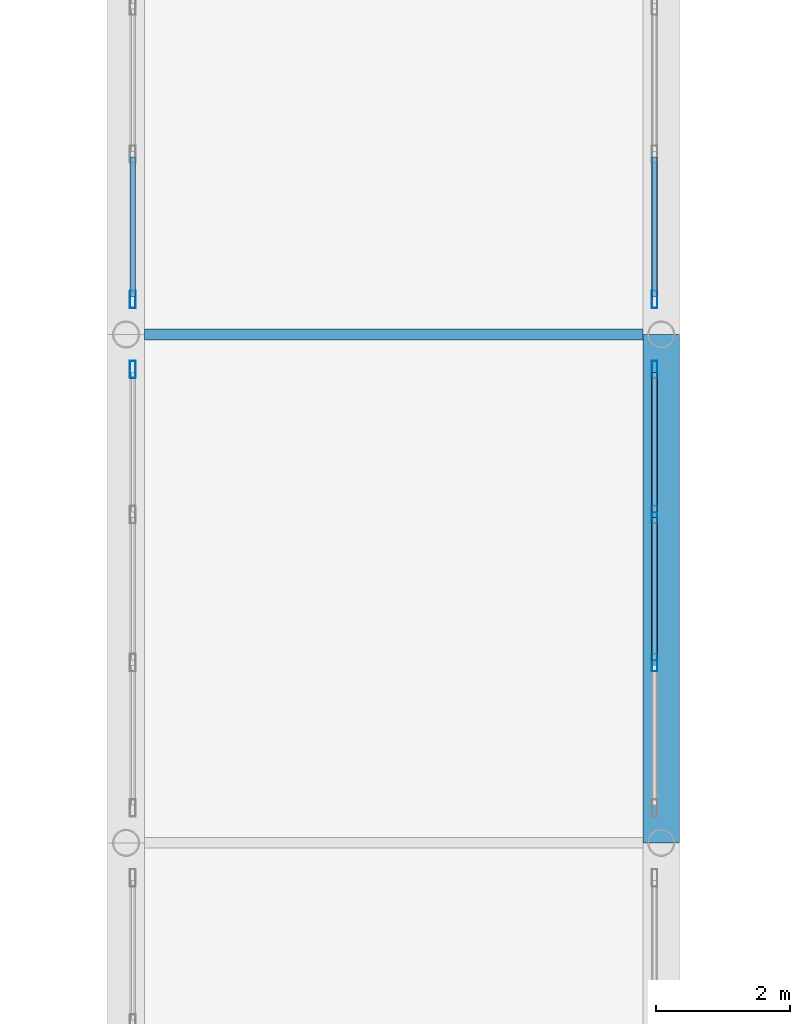
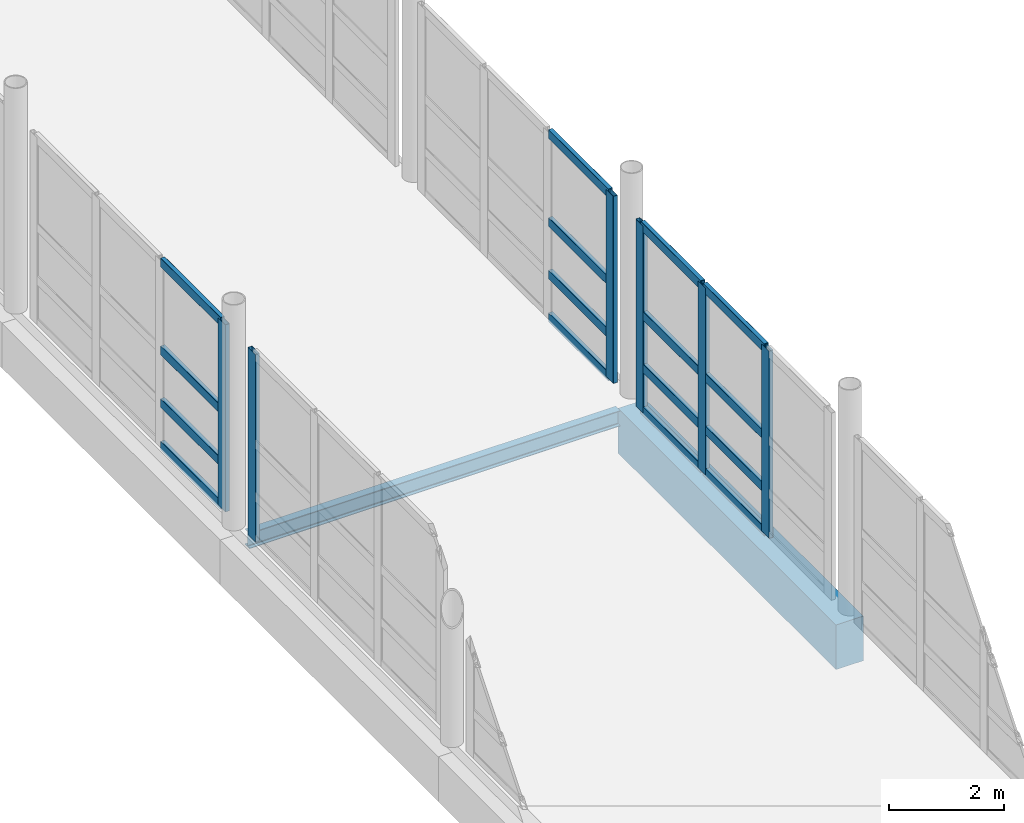
# One storey, part 55 of 147: 22 members, 2 beams, 4 elements without a shape of their own.
"""IFC4 building model written with IfcOpenShell, lengths in metres."""

from ifc_helpers import new_model, si_unit, direction, frame, origin, origin_2d, place, context, subcontext, project, spatial, rectangle, hollow_rectangle, i_section, extrude, material, material_profile, profile_set, type_object, element, aggregate, save


model = new_model("IFC4")

# Units and contexts
model_context = context("Model", 3, precision=1e-05, world=origin(), true_north=direction((0.0, 1.0)))
body_context = subcontext(model_context, "Body", "Model", "MODEL_VIEW")
ifc_project = project(units=[si_unit("LENGTHUNIT", "METRE"), si_unit("AREAUNIT", "SQUARE_METRE"), si_unit("VOLUMEUNIT", "CUBIC_METRE"), si_unit("PLANEANGLEUNIT", "RADIAN"), si_unit("MASSUNIT", "GRAM", prefix="KILO")], contexts=[model_context])

# Site, building, storey
site_placement = place(None, origin())
site = spatial("IfcSite", under=ifc_project, at=site_placement, CompositionType="ELEMENT")
building_placement = place(site_placement, origin())
building = spatial("IfcBuilding", under=site, at=building_placement, Name="Khelvaren Railside Concert Hall", CompositionType="ELEMENT")
storey_placement = place(building_placement, frame((0.0, 0.0, 5.39990234375)))
storey = spatial("IfcBuildingStorey", under=building, at=storey_placement, Name="L01", CompositionType="ELEMENT", Elevation=5.39990234375)

# Curtain wall, member
ifc_material_1 = material(Name="Acoustic laminated crystal facade glass", Category="glass")
curtain_wall_type = type_object("IfcCurtainWallType", Name="CW78", PredefinedType="USERDEFINED", material=ifc_material_1)
curtain_wall_1_placement = place(storey_placement, origin())
curtain_wall_1 = element("IfcCurtainWall", 1, at=curtain_wall_1_placement, inside=storey, type_object=curtain_wall_type, Name="Unitised Curtain Wall CW-LB4-L01-W3", ObjectType="UNITISED CURTAIN WALL", PredefinedType="USERDEFINED")
ifc_material_2 = material(Name="Anodised architectural aluminium 6063-T6", Category="aluminium")
ifc_material_profile_1 = material_profile(ifc_material_2, hollow_rectangle(XDim=0.0849609375, YDim=0.260009765625, WallThickness=0.0048828125, InnerFilletRadius=0.0029296875, OuterFilletRadius=0.0048828125, at=origin_2d()), Name="CWM 85x260x5")
ifc_profile_set_1 = profile_set([ifc_material_profile_1], Name="Anodised architectural aluminium 6063-T6")
member_type_1 = type_object("IfcMemberType", Name="CWM40", PredefinedType="MULLION", material=ifc_profile_set_1)
member_1_placement = place(storey_placement, frame((160.10009765625, 60.277587890625, 0.0), z_axis=(0.0, 0.0, 1.0), x_axis=(-1.0, 0.0, 0.0)))
member_1 = element("IfcMember", 2, at=member_1_placement, type_object=member_type_1, Name="CW78 mullion 4", PredefinedType="MULLION", context=body_context, shape_type="SweptSolid", body=[
    extrude(hollow_rectangle(XDim=0.0849609375, YDim=0.260009765625, WallThickness=0.0048828125, InnerFilletRadius=0.0029296875, OuterFilletRadius=0.0048828125, at=origin_2d()), origin(), (0.0, 0.0, 1.0), 3.97998046875),
])
aggregate(curtain_wall_1, [member_1])

# Curtain wall, members
curtain_wall_2_placement = place(storey_placement, origin())
curtain_wall_2 = element("IfcCurtainWall", 3, at=curtain_wall_2_placement, inside=storey, type_object=curtain_wall_type, Name="Unitised Curtain Wall CW-LB4-L01-E3", ObjectType="UNITISED CURTAIN WALL", PredefinedType="USERDEFINED")
member_2_placement = place(storey_placement, frame((167.89990234375, 60.277587890625, 0.0), z_axis=(0.0, 0.0, 1.0), x_axis=(1.0, 0.0, 0.0)))
member_2 = element("IfcMember", 4, at=member_2_placement, type_object=member_type_1, Name="CW78 mullion 1", PredefinedType="MULLION", context=body_context, shape_type="SweptSolid", body=[
    extrude(hollow_rectangle(XDim=0.0849609375, YDim=0.260009765625, WallThickness=0.0048828125, InnerFilletRadius=0.0029296875, OuterFilletRadius=0.0048828125, at=origin_2d()), origin(), (0.0, 0.0, 1.0), 3.97998046875),
])
member_3_placement = place(storey_placement, frame((167.89990234375, 58.106689453125, 0.0), z_axis=(0.0, 0.0, 1.0), x_axis=(1.0, 0.0, 0.0)))
member_3 = element("IfcMember", 5, at=member_3_placement, type_object=member_type_1, Name="CW78 mullion 2", PredefinedType="MULLION", context=body_context, shape_type="SweptSolid", body=[
    extrude(hollow_rectangle(XDim=0.0849609375, YDim=0.260009765625, WallThickness=0.0048828125, InnerFilletRadius=0.0029296875, OuterFilletRadius=0.0048828125, at=origin_2d()), origin(), (0.0, 0.0, 1.0), 3.97998046875),
])
member_4_placement = place(storey_placement, frame((167.89990234375, 55.893310546875, 0.0), z_axis=(0.0, 0.0, 1.0), x_axis=(1.0, 0.0, 0.0)))
member_4 = element("IfcMember", 6, at=member_4_placement, type_object=member_type_1, Name="CW78 mullion 3", PredefinedType="MULLION", context=body_context, shape_type="SweptSolid", body=[
    extrude(hollow_rectangle(XDim=0.0849609375, YDim=0.260009765625, WallThickness=0.0048828125, InnerFilletRadius=0.0029296875, OuterFilletRadius=0.0048828125, at=origin_2d()), origin(), (0.0, 0.0, 1.0), 3.97998046875),
])

# Curtain wall, member
curtain_wall_3_placement = place(storey_placement, origin())
curtain_wall_3 = element("IfcCurtainWall", 7, at=curtain_wall_3_placement, inside=storey, type_object=curtain_wall_type, Name="Unitised Curtain Wall CW-LB4-L01-W4", ObjectType="UNITISED CURTAIN WALL", PredefinedType="USERDEFINED")
member_5_placement = place(storey_placement, frame((160.10009765625, 61.322509765625, 0.0), z_axis=(0.0, 0.0, 1.0), x_axis=(-1.0, 0.0, 0.0)))
member_5 = element("IfcMember", 8, at=member_5_placement, type_object=member_type_1, Name="CW78 mullion 1", PredefinedType="MULLION", context=body_context, shape_type="SweptSolid", body=[
    extrude(hollow_rectangle(XDim=0.0849609375, YDim=0.260009765625, WallThickness=0.0048828125, InnerFilletRadius=0.0029296875, OuterFilletRadius=0.0048828125, at=origin_2d()), origin(), (0.0, 0.0, 1.0), 3.97998046875),
])

curtain_wall_4_placement = place(storey_placement, origin())
curtain_wall_4 = element("IfcCurtainWall", 9, at=curtain_wall_4_placement, inside=storey, type_object=curtain_wall_type, Name="Unitised Curtain Wall CW-LB4-L01-E4", ObjectType="UNITISED CURTAIN WALL", PredefinedType="USERDEFINED")
member_6_placement = place(storey_placement, frame((167.89990234375, 61.322509765625, 0.0), z_axis=(0.0, 0.0, 1.0), x_axis=(1.0, 0.0, 0.0)))
member_6 = element("IfcMember", 10, at=member_6_placement, type_object=member_type_1, Name="CW78 mullion 4", PredefinedType="MULLION", context=body_context, shape_type="SweptSolid", body=[
    extrude(hollow_rectangle(XDim=0.0849609375, YDim=0.260009765625, WallThickness=0.0048828125, InnerFilletRadius=0.0029296875, OuterFilletRadius=0.0048828125, at=origin_2d()), origin(), (0.0, 0.0, 1.0), 3.97998046875),
])

# Member
ifc_material_profile_2 = material_profile(ifc_material_2, hollow_rectangle(XDim=0.0849609375, YDim=0.18994140625, WallThickness=0.0048828125, InnerFilletRadius=0.0029296875, OuterFilletRadius=0.0048828125, at=origin_2d()), Name="CWT 85x190x5")
ifc_profile_set_2 = profile_set([ifc_material_profile_2], Name="Anodised architectural aluminium 6063-T6")
member_type_2 = type_object("IfcMemberType", Name="CWT31", PredefinedType="USERDEFINED", material=ifc_profile_set_2)
member_7_placement = place(storey_placement, frame((167.89990234375, 60.235107421875, 0.04248046875), z_axis=(0.0, -1.0, 0.0), x_axis=(1.0, 0.0, 0.0)))
member_7 = element("IfcMember", 11, at=member_7_placement, type_object=member_type_2, Name="CW78 transom 1.1", ObjectType="TRANSOM", PredefinedType="USERDEFINED", context=body_context, shape_type="SweptSolid", body=[
    extrude(hollow_rectangle(XDim=0.0849609375, YDim=0.18994140625, WallThickness=0.0048828125, InnerFilletRadius=0.0029296875, OuterFilletRadius=0.0048828125, at=origin_2d()), origin(), (0.0, 0.0, 1.0), 2.0859375),
])

member_8_placement = place(storey_placement, frame((167.89990234375, 60.235107421875, 0.9501953125), z_axis=(0.0, -1.0, 0.0), x_axis=(1.0, 0.0, 0.0)))
member_8 = element("IfcMember", 12, at=member_8_placement, type_object=member_type_2, Name="CW78 transom 1.2", ObjectType="TRANSOM", PredefinedType="USERDEFINED", context=body_context, shape_type="SweptSolid", body=[
    extrude(hollow_rectangle(XDim=0.0849609375, YDim=0.18994140625, WallThickness=0.0048828125, InnerFilletRadius=0.0029296875, OuterFilletRadius=0.0048828125, at=origin_2d()), origin(), (0.0, 0.0, 1.0), 2.0859375),
])

member_9_placement = place(storey_placement, frame((167.89990234375, 60.235107421875, 2.069580078125), z_axis=(0.0, -1.0, 0.0), x_axis=(1.0, 0.0, 0.0)))
member_9 = element("IfcMember", 13, at=member_9_placement, type_object=member_type_2, Name="CW78 transom 1.3", ObjectType="TRANSOM", PredefinedType="USERDEFINED", context=body_context, shape_type="SweptSolid", body=[
    extrude(hollow_rectangle(XDim=0.0849609375, YDim=0.18994140625, WallThickness=0.0048828125, InnerFilletRadius=0.0029296875, OuterFilletRadius=0.0048828125, at=origin_2d()), origin(), (0.0, 0.0, 1.0), 2.0859375),
])

member_10_placement = place(storey_placement, frame((167.89990234375, 60.235107421875, 3.9375), z_axis=(0.0, -1.0, 0.0), x_axis=(1.0, 0.0, 0.0)))
member_10 = element("IfcMember", 14, at=member_10_placement, type_object=member_type_2, Name="CW78 transom 1.4", ObjectType="TRANSOM", PredefinedType="USERDEFINED", context=body_context, shape_type="SweptSolid", body=[
    extrude(hollow_rectangle(XDim=0.0849609375, YDim=0.18994140625, WallThickness=0.0048828125, InnerFilletRadius=0.0029296875, OuterFilletRadius=0.0048828125, at=origin_2d()), origin(), (0.0, 0.0, 1.0), 2.0859375),
])

member_11_placement = place(storey_placement, frame((167.89990234375, 58.064208984375, 0.04248046875), z_axis=(0.0, -1.0, 0.0), x_axis=(1.0, 0.0, 0.0)))
member_11 = element("IfcMember", 15, at=member_11_placement, type_object=member_type_2, Name="CW78 transom 2.1", ObjectType="TRANSOM", PredefinedType="USERDEFINED", context=body_context, shape_type="SweptSolid", body=[
    extrude(hollow_rectangle(XDim=0.0849609375, YDim=0.18994140625, WallThickness=0.0048828125, InnerFilletRadius=0.0029296875, OuterFilletRadius=0.0048828125, at=origin_2d()), origin(), (0.0, 0.0, 1.0), 2.12841796875),
])

member_12_placement = place(storey_placement, frame((167.89990234375, 58.064208984375, 0.9501953125), z_axis=(0.0, -1.0, 0.0), x_axis=(1.0, 0.0, 0.0)))
member_12 = element("IfcMember", 16, at=member_12_placement, type_object=member_type_2, Name="CW78 transom 2.2", ObjectType="TRANSOM", PredefinedType="USERDEFINED", context=body_context, shape_type="SweptSolid", body=[
    extrude(hollow_rectangle(XDim=0.0849609375, YDim=0.18994140625, WallThickness=0.0048828125, InnerFilletRadius=0.0029296875, OuterFilletRadius=0.0048828125, at=origin_2d()), origin(), (0.0, 0.0, 1.0), 2.12841796875),
])

member_13_placement = place(storey_placement, frame((167.89990234375, 58.064208984375, 2.069580078125), z_axis=(0.0, -1.0, 0.0), x_axis=(1.0, 0.0, 0.0)))
member_13 = element("IfcMember", 17, at=member_13_placement, type_object=member_type_2, Name="CW78 transom 2.3", ObjectType="TRANSOM", PredefinedType="USERDEFINED", context=body_context, shape_type="SweptSolid", body=[
    extrude(hollow_rectangle(XDim=0.0849609375, YDim=0.18994140625, WallThickness=0.0048828125, InnerFilletRadius=0.0029296875, OuterFilletRadius=0.0048828125, at=origin_2d()), origin(), (0.0, 0.0, 1.0), 2.12841796875),
])

member_14_placement = place(storey_placement, frame((167.89990234375, 58.064208984375, 3.9375), z_axis=(0.0, -1.0, 0.0), x_axis=(1.0, 0.0, 0.0)))
member_14 = element("IfcMember", 18, at=member_14_placement, type_object=member_type_2, Name="CW78 transom 2.4", ObjectType="TRANSOM", PredefinedType="USERDEFINED", context=body_context, shape_type="SweptSolid", body=[
    extrude(hollow_rectangle(XDim=0.0849609375, YDim=0.18994140625, WallThickness=0.0048828125, InnerFilletRadius=0.0029296875, OuterFilletRadius=0.0048828125, at=origin_2d()), origin(), (0.0, 0.0, 1.0), 2.12841796875),
])

aggregate(curtain_wall_2, [member_2, member_3, member_4, member_7, member_8, member_9, member_10, member_11, member_12, member_13, member_14])

member_15_placement = place(storey_placement, frame((160.10009765625, 61.364990234375, 0.04248046875), z_axis=(0.0, 1.0, 0.0), x_axis=(-1.0, 0.0, 0.0)))
member_15 = element("IfcMember", 19, at=member_15_placement, type_object=member_type_2, Name="CW78 transom 1.1", ObjectType="TRANSOM", PredefinedType="USERDEFINED", context=body_context, shape_type="SweptSolid", body=[
    extrude(hollow_rectangle(XDim=0.0849609375, YDim=0.18994140625, WallThickness=0.0048828125, InnerFilletRadius=0.0029296875, OuterFilletRadius=0.0048828125, at=origin_2d()), origin(), (0.0, 0.0, 1.0), 2.0859375),
])

member_16_placement = place(storey_placement, frame((160.10009765625, 61.364990234375, 0.9501953125), z_axis=(0.0, 1.0, 0.0), x_axis=(-1.0, 0.0, 0.0)))
member_16 = element("IfcMember", 20, at=member_16_placement, type_object=member_type_2, Name="CW78 transom 1.2", ObjectType="TRANSOM", PredefinedType="USERDEFINED", context=body_context, shape_type="SweptSolid", body=[
    extrude(hollow_rectangle(XDim=0.0849609375, YDim=0.18994140625, WallThickness=0.0048828125, InnerFilletRadius=0.0029296875, OuterFilletRadius=0.0048828125, at=origin_2d()), origin(), (0.0, 0.0, 1.0), 2.0859375),
])

member_17_placement = place(storey_placement, frame((160.10009765625, 61.364990234375, 2.069580078125), z_axis=(0.0, 1.0, 0.0), x_axis=(-1.0, 0.0, 0.0)))
member_17 = element("IfcMember", 21, at=member_17_placement, type_object=member_type_2, Name="CW78 transom 1.3", ObjectType="TRANSOM", PredefinedType="USERDEFINED", context=body_context, shape_type="SweptSolid", body=[
    extrude(hollow_rectangle(XDim=0.0849609375, YDim=0.18994140625, WallThickness=0.0048828125, InnerFilletRadius=0.0029296875, OuterFilletRadius=0.0048828125, at=origin_2d()), origin(), (0.0, 0.0, 1.0), 2.0859375),
])

member_18_placement = place(storey_placement, frame((160.10009765625, 61.364990234375, 3.9375), z_axis=(0.0, 1.0, 0.0), x_axis=(-1.0, 0.0, 0.0)))
member_18 = element("IfcMember", 22, at=member_18_placement, type_object=member_type_2, Name="CW78 transom 1.4", ObjectType="TRANSOM", PredefinedType="USERDEFINED", context=body_context, shape_type="SweptSolid", body=[
    extrude(hollow_rectangle(XDim=0.0849609375, YDim=0.18994140625, WallThickness=0.0048828125, InnerFilletRadius=0.0029296875, OuterFilletRadius=0.0048828125, at=origin_2d()), origin(), (0.0, 0.0, 1.0), 2.0859375),
])

aggregate(curtain_wall_3, [member_5, member_15, member_16, member_17, member_18])

member_19_placement = place(storey_placement, frame((167.89990234375, 63.450927734375, 0.04248046875), z_axis=(0.0, -1.0, 0.0), x_axis=(1.0, 0.0, 0.0)))
member_19 = element("IfcMember", 23, at=member_19_placement, type_object=member_type_2, Name="CW78 transom 3.1", ObjectType="TRANSOM", PredefinedType="USERDEFINED", context=body_context, shape_type="SweptSolid", body=[
    extrude(hollow_rectangle(XDim=0.0849609375, YDim=0.18994140625, WallThickness=0.0048828125, InnerFilletRadius=0.0029296875, OuterFilletRadius=0.0048828125, at=origin_2d()), origin(), (0.0, 0.0, 1.0), 2.0859375),
])

member_20_placement = place(storey_placement, frame((167.89990234375, 63.450927734375, 0.9501953125), z_axis=(0.0, -1.0, 0.0), x_axis=(1.0, 0.0, 0.0)))
member_20 = element("IfcMember", 24, at=member_20_placement, type_object=member_type_2, Name="CW78 transom 3.2", ObjectType="TRANSOM", PredefinedType="USERDEFINED", context=body_context, shape_type="SweptSolid", body=[
    extrude(hollow_rectangle(XDim=0.0849609375, YDim=0.18994140625, WallThickness=0.0048828125, InnerFilletRadius=0.0029296875, OuterFilletRadius=0.0048828125, at=origin_2d()), origin(), (0.0, 0.0, 1.0), 2.0859375),
])

member_21_placement = place(storey_placement, frame((167.89990234375, 63.450927734375, 2.069580078125), z_axis=(0.0, -1.0, 0.0), x_axis=(1.0, 0.0, 0.0)))
member_21 = element("IfcMember", 25, at=member_21_placement, type_object=member_type_2, Name="CW78 transom 3.3", ObjectType="TRANSOM", PredefinedType="USERDEFINED", context=body_context, shape_type="SweptSolid", body=[
    extrude(hollow_rectangle(XDim=0.0849609375, YDim=0.18994140625, WallThickness=0.0048828125, InnerFilletRadius=0.0029296875, OuterFilletRadius=0.0048828125, at=origin_2d()), origin(), (0.0, 0.0, 1.0), 2.0859375),
])

member_22_placement = place(storey_placement, frame((167.89990234375, 63.450927734375, 3.9375), z_axis=(0.0, -1.0, 0.0), x_axis=(1.0, 0.0, 0.0)))
member_22 = element("IfcMember", 26, at=member_22_placement, type_object=member_type_2, Name="CW78 transom 3.4", ObjectType="TRANSOM", PredefinedType="USERDEFINED", context=body_context, shape_type="SweptSolid", body=[
    extrude(hollow_rectangle(XDim=0.0849609375, YDim=0.18994140625, WallThickness=0.0048828125, InnerFilletRadius=0.0029296875, OuterFilletRadius=0.0048828125, at=origin_2d()), origin(), (0.0, 0.0, 1.0), 2.0859375),
])

aggregate(curtain_wall_4, [member_6, member_19, member_20, member_21, member_22])

# Beams
ifc_material_3 = material(Name="Concrete C40/50", Category="concrete")
ifc_material_profile_3 = material_profile(ifc_material_3, rectangle(XDim=0.550048828125, YDim=0.949951171875, at=origin_2d()), Name="RCB 550x950")
ifc_profile_set_3 = profile_set([ifc_material_profile_3], Name="Concrete C40/50")
beam_type_1 = type_object("IfcBeamType", Name="GR75", PredefinedType="T_BEAM", material=ifc_profile_set_3)
beam_1_placement = place(storey_placement, frame((168.0, 53.199951171875, -0.71484375), z_axis=(0.0, 1.0, 0.0), x_axis=(-1.0, 0.0, 0.0)))
element("IfcBeam", 27, at=beam_1_placement, inside=storey, type_object=beam_type_1, Name="East Backstage Artist Link Bridge L01 Bridge Girder 2.3", PredefinedType="T_BEAM", context=body_context, shape_type="SweptSolid", body=[
    extrude(rectangle(XDim=0.550048828125, YDim=0.949951171875, at=origin_2d()), origin(), (0.0, 0.0, 1.0), 7.60009765625),
])
ifc_material_4 = material(Name="Steel S355", Category="steel")
ifc_material_profile_4 = material_profile(ifc_material_4, i_section(OverallWidth=0.159912109375, OverallDepth=0.330078125, WebThickness=0.007568359375, FlangeThickness=0.011474609375, FilletRadius=0.01806640625, at=origin_2d()), Name="IPE 330")
ifc_profile_set_4 = profile_set([ifc_material_profile_4], Name="Steel S355")
beam_type_2 = type_object("IfcBeamType", Name="JS65", PredefinedType="JOIST", material=ifc_profile_set_4)
beam_2_placement = place(storey_placement, frame((160.27490234375, 60.800048828125, -0.40478515625), z_axis=(1.0, 0.0, 0.0), x_axis=(0.0, 1.0, 0.0)))
element("IfcBeam", 28, at=beam_2_placement, inside=storey, type_object=beam_type_2, Name="East Backstage Artist Link Bridge L01 Bridge Cross Joist 3", PredefinedType="JOIST", context=body_context, shape_type="SweptSolid", body=[
    extrude(i_section(OverallWidth=0.159912109375, OverallDepth=0.330078125, WebThickness=0.007568359375, FlangeThickness=0.011474609375, FilletRadius=0.01806640625, at=origin_2d()), origin(), (0.0, 0.0, 1.0), 7.4501953125),
])

save(model, "model.ifc")
